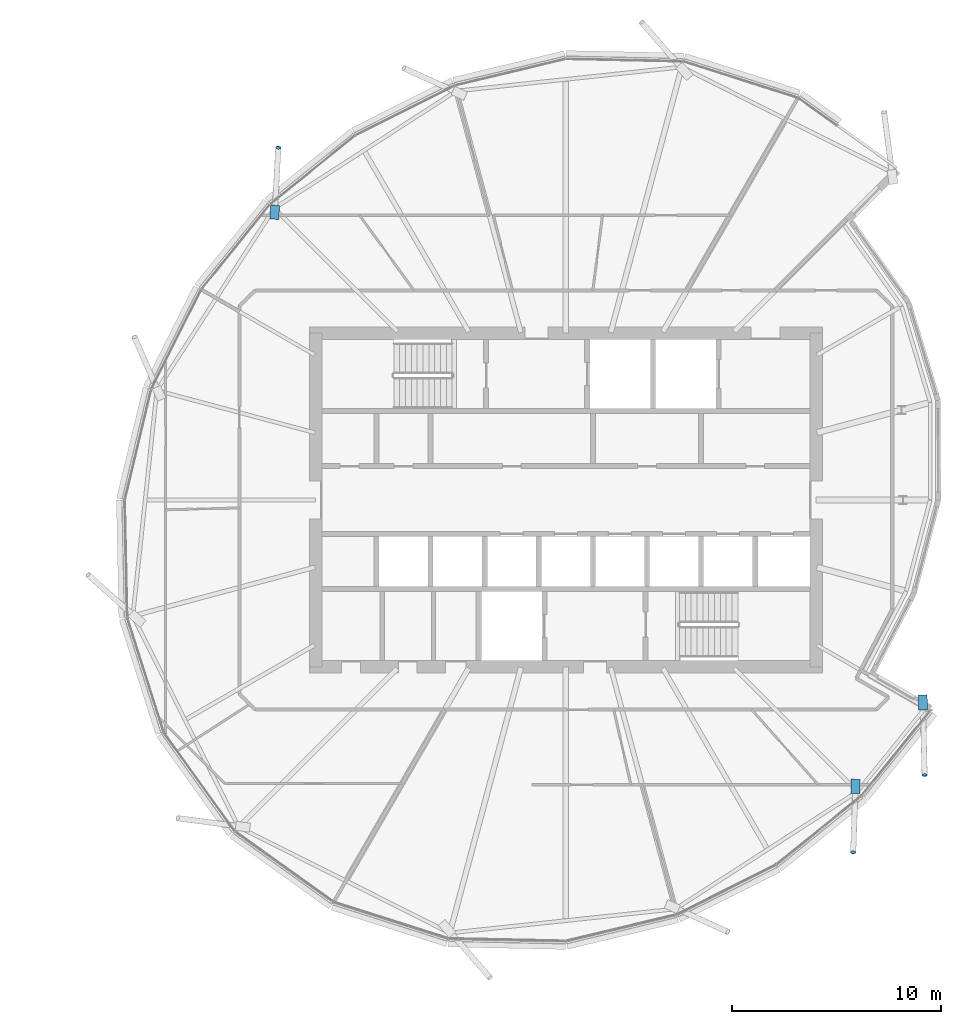
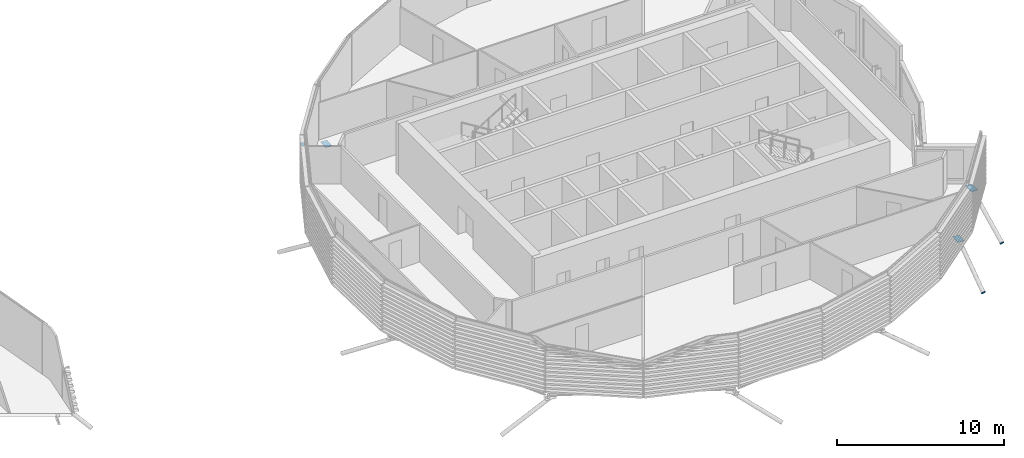
# One storey, part 30 of 37: 6 discrete accessories.
"""IFC4 building model written with IfcOpenShell, lengths in metres."""

from ifc_helpers import new_model, si_unit, direction, frame, origin, origin_2d, place, context, subcontext, project, spatial, polyline, rectangle, circle, outline, extrude, material, material_profile, profile_set, type_object, element, save


model = new_model("IFC4")

# Units and contexts
model_context = context("Model", 3, precision=1e-05, world=origin(), true_north=direction((0.0, 1.0)))
body_context = subcontext(model_context, "Body", "Model", "MODEL_VIEW")
ifc_project = project(units=[si_unit("LENGTHUNIT", "METRE"), si_unit("AREAUNIT", "SQUARE_METRE"), si_unit("VOLUMEUNIT", "CUBIC_METRE"), si_unit("PLANEANGLEUNIT", "RADIAN"), si_unit("MASSUNIT", "GRAM", prefix="KILO")], contexts=[model_context])

# Site, building, storey
site_placement = place(None, origin())
site = spatial("IfcSite", under=ifc_project, at=site_placement, CompositionType="ELEMENT")
building_placement = place(site_placement, origin())
building = spatial("IfcBuilding", under=site, at=building_placement, Name="Rimbun Link Towers", CompositionType="ELEMENT")
storey_placement = place(building_placement, frame((0.0, 0.0, 166.5)))
storey = spatial("IfcBuildingStorey", under=building, at=storey_placement, Name="L40", CompositionType="ELEMENT", Elevation=166.5)

# Discrete accessories
ifc_material_1 = material(Name="Steel S355J2H", Category="steel")
ifc_material_profile_1 = material_profile(ifc_material_1, circle(Radius=0.1240234375, at=origin_2d()), Name="PL D248")
ifc_profile_set_1 = profile_set([ifc_material_profile_1], Name="Steel S355J2H")
discrete_accessory_type_1 = type_object("IfcDiscreteAccessoryType", Name="Link foot sealing plate D248X20", PredefinedType="BRACKET", material=ifc_profile_set_1)
discrete_accessory_1_placement = place(storey_placement, frame((17.960693359375, 16.8876953125, -2.578857421875), z_axis=(0.048820437584, 0.842152548321, -0.537024813422), x_axis=(-0.998323904123, 0.057873849514, 0.0)))
element("IfcDiscreteAccessory", 1, at=discrete_accessory_1_placement, inside=storey, type_object=discrete_accessory_type_1, Name="Link foot sealing plate T2 L40 06", PredefinedType="BRACKET", context=body_context, shape_type="SweptSolid", body=[
    extrude(circle(Radius=0.1240234375, at=origin_2d()), origin(), (0.0, 0.0, 1.0), 0.02001953125),
])
for number, where, z_axis, x_axis, name in (
    (2, (45.532958984375, -16.8857421875, -2.58154296875), (-0.024592229345, -0.848431912418, -0.528732930927), (0.9995801847, -0.028973338687, 0.0), "Link foot sealing plate T2 L40 18"),
    (3, (48.95849609375, -13.185546875, -2.394775390625), (0.012343797766, -0.876409641387, -0.481408112874), (0.999900828085, 0.014083110255, 0.0), "Link foot sealing plate T2 L40 19"),
):
    element("IfcDiscreteAccessory", number, at=place(storey_placement, frame(where, z_axis=z_axis, x_axis=x_axis)), inside=storey, type_object=discrete_accessory_type_1, Name=name, PredefinedType="BRACKET", context=body_context, shape_type="SweptSolid", body=[
        extrude(circle(Radius=0.1240234375, at=origin_2d()), origin(), (0.0, 0.0, 1.0), 0.019775390625),
    ])
ifc_material_2 = material(Name="Steel S355J2H", Category="steel")
ifc_material_profile_2 = material_profile(ifc_material_2, rectangle(XDim=0.43310546875, YDim=0.43310546875, at=origin_2d()), Name="PL 433x433")
ifc_profile_set_2 = profile_set([ifc_material_profile_2], Name="Steel S355J2H")
discrete_accessory_type_2 = type_object("IfcDiscreteAccessoryType", Name="Link head end plate 433X20", PredefinedType="BRACKET", material=ifc_profile_set_2)
discrete_accessory_2_placement = place(storey_placement, frame((0.0, 0.0, -0.623291015625)))
element("IfcDiscreteAccessory", 4, at=discrete_accessory_2_placement, inside=storey, type_object=discrete_accessory_type_2, Name="Link head end plate T2 L40 06", PredefinedType="BRACKET", context=body_context, shape_type="SweptSolid", body=[
    extrude(outline(polyline([(17.987548828125, 13.4541015625), (18.024658203125, 14.123779296875), (17.59228515625, 14.147705078125), (17.555419921875, 13.47802734375), (17.987548828125, 13.4541015625)])), origin(), (0.0, 0.0, 1.0), 0.019775390625),
])
discrete_accessory_3_placement = place(storey_placement, frame((0.0, 0.0, -0.623291015625)))
element("IfcDiscreteAccessory", 5, at=discrete_accessory_3_placement, inside=storey, type_object=discrete_accessory_type_2, Name="Link head end plate T2 L40 18", PredefinedType="BRACKET", context=body_context, shape_type="SweptSolid", body=[
    extrude(outline(polyline([(45.438720703125, -13.38671875), (45.414794921875, -14.06396484375), (45.84765625, -14.0791015625), (45.871337890625, -13.40185546875), (45.438720703125, -13.38671875)])), origin(), (0.0, 0.0, 1.0), 0.019775390625),
])
discrete_accessory_4_placement = place(storey_placement, frame((0.0, 0.0, -0.473388671875)))
element("IfcDiscreteAccessory", 6, at=discrete_accessory_4_placement, inside=storey, type_object=discrete_accessory_type_2, Name="Link head end plate T2 L40 19", PredefinedType="BRACKET", context=body_context, shape_type="SweptSolid", body=[
    extrude(outline(polyline([(48.64599609375, -9.35009765625), (48.6640625, -10.074462890625), (49.096923828125, -10.063720703125), (49.078857421875, -9.339111328125), (48.64599609375, -9.35009765625)])), origin(), (0.0, 0.0, 1.0), 0.02001953125),
])

save(model, "model.ifc")
